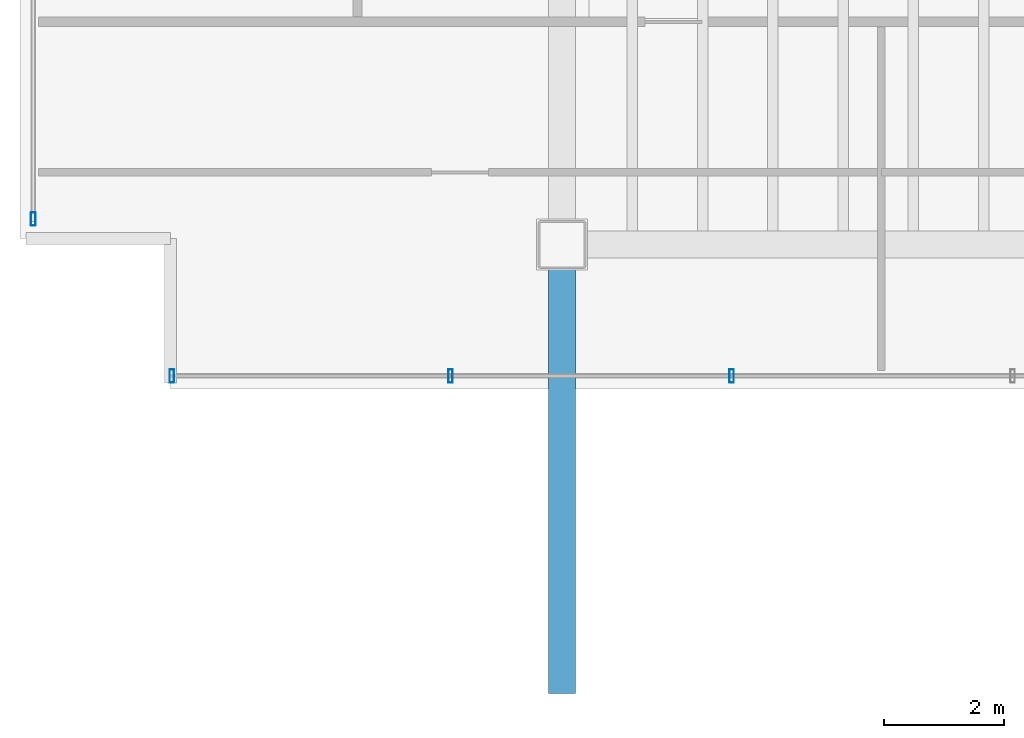
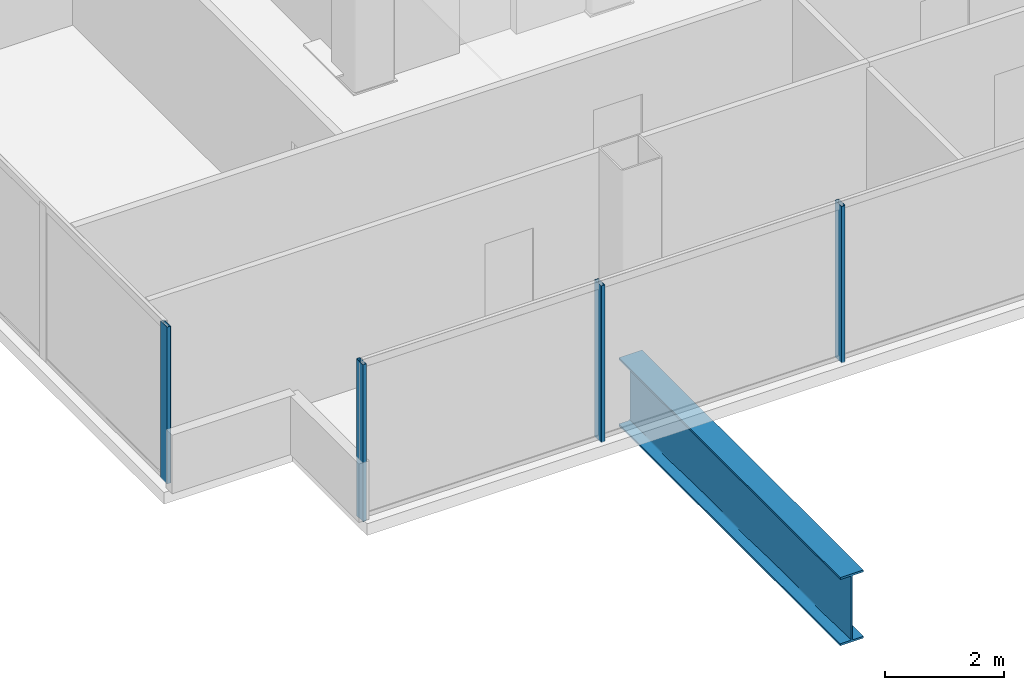
# One storey, part 2 of 19: 4 members, 1 beam, 2 elements without a shape of their own.
"""IFC4 building model written with IfcOpenShell, lengths in metres."""

from ifc_helpers import new_model, si_unit, direction, frame, origin, origin_2d, place, context, subcontext, project, spatial, hollow_rectangle, i_section, extrude, material, material_profile, profile_set, type_object, element, aggregate, save


model = new_model("IFC4")

# Units and contexts
model_context = context("Model", 3, precision=1e-05, world=origin(), true_north=direction((0.0, 1.0)))
body_context = subcontext(model_context, "Body", "Model", "MODEL_VIEW")
ifc_project = project(units=[si_unit("LENGTHUNIT", "METRE"), si_unit("AREAUNIT", "SQUARE_METRE"), si_unit("VOLUMEUNIT", "CUBIC_METRE"), si_unit("PLANEANGLEUNIT", "RADIAN"), si_unit("MASSUNIT", "GRAM", prefix="KILO")], contexts=[model_context])

# Site, building, storey
site_placement = place(None, origin())
site = spatial("IfcSite", under=ifc_project, at=site_placement, CompositionType="ELEMENT")
building_placement = place(site_placement, origin())
building = spatial("IfcBuilding", under=site, at=building_placement, Name="Noeulbin Bourse Tower", CompositionType="ELEMENT")
storey_placement = place(building_placement, frame((0.0, 0.0, 257.89990234375)))
storey = spatial("IfcBuildingStorey", under=building, at=storey_placement, Name="L64", CompositionType="ELEMENT", Elevation=257.89990234375)

# Beam
ifc_material_1 = material(Name="Steel S460", Category="steel")
ifc_material_profile_1 = material_profile(ifc_material_1, i_section(OverallWidth=0.449951171875, OverallDepth=1.39990234375, WebThickness=0.02392578125, FlangeThickness=0.0400390625, FilletRadius=0.02392578125, at=origin_2d()), Name="PG-1400x450x24x40", Category="LoadBearing")
ifc_profile_set_1 = profile_set([ifc_material_profile_1], Name="Steel S460")
beam_type = type_object("IfcBeamType", Name="BM-TRF-1400", PredefinedType="USERDEFINED", material=ifc_profile_set_1)
beam_placement = place(storey_placement, frame((13.5, 12.550048828125, -0.93994140625), z_axis=(0.0, 1.0, 0.0), x_axis=(-1.0, 0.0, 0.0)))
element("IfcBeam", 1, at=beam_placement, inside=storey, type_object=beam_type, Name="Tower Primary Girder NS L64-1.1", ObjectType="GIRDER", PredefinedType="USERDEFINED", context=body_context, shape_type="SweptSolid", body=[
    extrude(i_section(OverallWidth=0.449951171875, OverallDepth=1.39990234375, WebThickness=0.02392578125, FlangeThickness=0.0400390625, FilletRadius=0.02392578125, at=origin_2d()), origin(), (0.0, 0.0, 1.0), 7.449951171875),
])

# Curtain wall, members
ifc_material_2 = material(Name="High-Selectivity Low-Iron Glazing", Category="glass")
curtain_wall_type = type_object("IfcCurtainWallType", Name="CW-SYS-4", PredefinedType="NOTDEFINED", material=ifc_material_2)
curtain_wall_1_placement = place(storey_placement, origin())
curtain_wall_1 = element("IfcCurtainWall", 2, at=curtain_wall_1_placement, inside=storey, type_object=curtain_wall_type, Name="Unitised Curtain Wall CW-L64-S1", PredefinedType="NOTDEFINED")
ifc_material_3 = material(Name="Anodised Aluminium 6063-T6", Category="aluminium")
ifc_material_profile_2 = material_profile(ifc_material_3, hollow_rectangle(XDim=0.074951171875, YDim=0.219970703125, WallThickness=0.0048828125, InnerFilletRadius=0.00244140625, OuterFilletRadius=0.0048828125, at=origin_2d()), Name="ALU-MULL-75x220x5", Category="LoadBearing")
ifc_profile_set_2 = profile_set([ifc_material_profile_2], Name="Anodised Aluminium 6063-T6")
member_type = type_object("IfcMemberType", Name="CW-SYS-4-MUL", PredefinedType="MULLION", material=ifc_profile_set_2)
member_1_placement = place(storey_placement, frame((7.02001953125, 17.820068359375, -0.02001953125), z_axis=(0.0, 0.0, 1.0), x_axis=(1.0, 0.0, 0.0)))
member_1 = element("IfcMember", 3, at=member_1_placement, type_object=member_type, Name="Curtain Wall Mullion CW-L64-S1-M00", PredefinedType="MULLION", context=body_context, shape_type="SweptSolid", body=[
    extrude(hollow_rectangle(XDim=0.074951171875, YDim=0.219970703125, WallThickness=0.0048828125, InnerFilletRadius=0.00244140625, OuterFilletRadius=0.0048828125, at=origin_2d()), origin(), (0.0, 0.0, 1.0), 3.22021484375),
])
member_2_placement = place(storey_placement, frame((11.6474609375, 17.820068359375, -0.02001953125), z_axis=(0.0, 0.0, 1.0), x_axis=(1.0, 0.0, 0.0)))
member_2 = element("IfcMember", 4, at=member_2_placement, type_object=member_type, Name="Curtain Wall Mullion CW-L64-S1-M01", PredefinedType="MULLION", context=body_context, shape_type="SweptSolid", body=[
    extrude(hollow_rectangle(XDim=0.074951171875, YDim=0.219970703125, WallThickness=0.0048828125, InnerFilletRadius=0.00244140625, OuterFilletRadius=0.0048828125, at=origin_2d()), origin(), (0.0, 0.0, 1.0), 3.22021484375),
])
member_3_placement = place(storey_placement, frame((16.31494140625, 17.820068359375, -0.02001953125), z_axis=(0.0, 0.0, 1.0), x_axis=(1.0, 0.0, 0.0)))
member_3 = element("IfcMember", 5, at=member_3_placement, type_object=member_type, Name="Curtain Wall Mullion CW-L64-S1-M02", PredefinedType="MULLION", context=body_context, shape_type="SweptSolid", body=[
    extrude(hollow_rectangle(XDim=0.074951171875, YDim=0.219970703125, WallThickness=0.0048828125, InnerFilletRadius=0.00244140625, OuterFilletRadius=0.0048828125, at=origin_2d()), origin(), (0.0, 0.0, 1.0), 3.22021484375),
])
aggregate(curtain_wall_1, [member_1, member_2, member_3])

# Curtain wall, member
curtain_wall_2_placement = place(storey_placement, origin())
curtain_wall_2 = element("IfcCurtainWall", 6, at=curtain_wall_2_placement, inside=storey, type_object=curtain_wall_type, Name="Unitised Curtain Wall CW-L64-W-S1", PredefinedType="NOTDEFINED")
member_4_placement = place(storey_placement, frame((4.719970703125, 20.425048828125, -0.02001953125), z_axis=(0.0, 0.0, 1.0), x_axis=(1.0, 0.0, 0.0)))
member_4 = element("IfcMember", 7, at=member_4_placement, type_object=member_type, Name="Curtain Wall Mullion CW-L64-W-S1-M00", PredefinedType="MULLION", context=body_context, shape_type="SweptSolid", body=[
    extrude(hollow_rectangle(XDim=0.074951171875, YDim=0.219970703125, WallThickness=0.0048828125, InnerFilletRadius=0.00244140625, OuterFilletRadius=0.0048828125, at=origin_2d()), origin(), (0.0, 0.0, 1.0), 3.22021484375),
])
aggregate(curtain_wall_2, [member_4])

save(model, "model.ifc")
